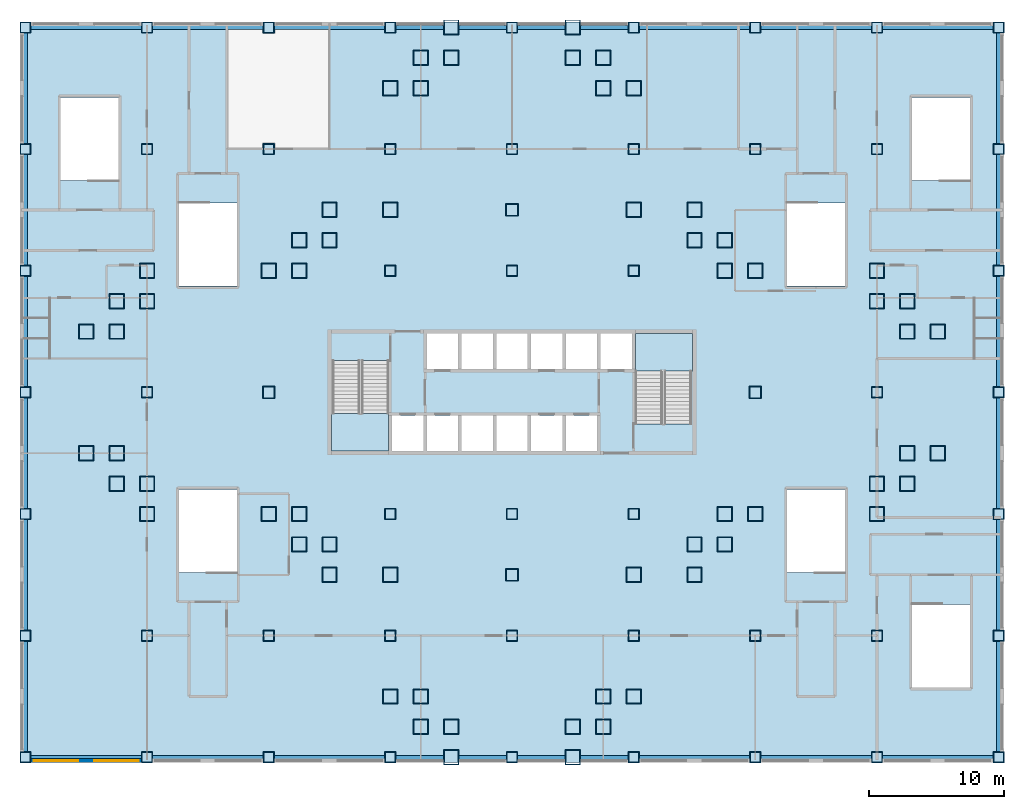
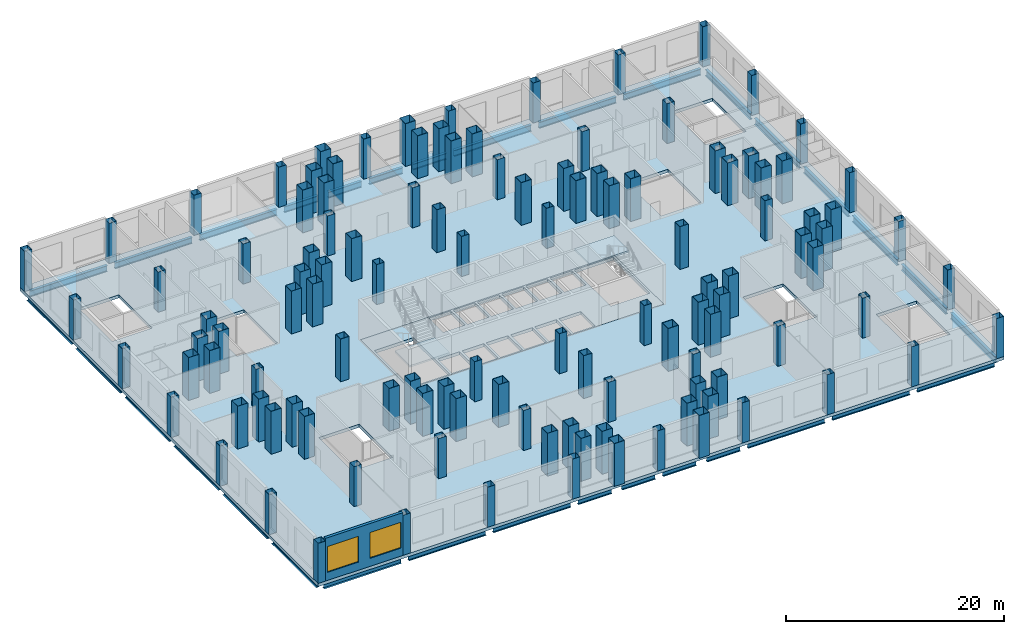
# One storey, part 1 of 13: 118 columns, 32 beams, 4 slabs, 2 windows, 1 wall, 2 openings, 2 elements without a shape of their own.
"""IFC4 building model written with IfcOpenShell, lengths in metres."""

from ifc_helpers import new_model, si_unit, direction, frame, frame_2d, origin, origin_2d, place, context, subcontext, project, spatial, polyline, rectangle, hollow_rectangle, i_section, outline, extrude, material, layer, layer_set, material_profile, profile_set, type_object, element, fill, aggregate, save


model = new_model("IFC4")

# Units and contexts
model_context = context("Model", 3, precision=1e-05, world=origin(), true_north=direction((0.0, 1.0)))
body_context = subcontext(model_context, "Body", "Model", "MODEL_VIEW")
ifc_project = project(units=[si_unit("LENGTHUNIT", "METRE"), si_unit("AREAUNIT", "SQUARE_METRE"), si_unit("VOLUMEUNIT", "CUBIC_METRE"), si_unit("PLANEANGLEUNIT", "RADIAN"), si_unit("MASSUNIT", "GRAM", prefix="KILO")], contexts=[model_context])

# Site, building, storey
site_placement = place(None, origin())
site = spatial("IfcSite", under=ifc_project, at=site_placement, CompositionType="ELEMENT")
building_placement = place(site_placement, origin())
building = spatial("IfcBuilding", under=site, at=building_placement, Name="Caravel Reach Hotel and Residences", CompositionType="ELEMENT")
storey_placement = place(building_placement, frame((0.0, 0.0, 28.800048828125)))
storey = spatial("IfcBuildingStorey", under=building, at=storey_placement, Name="L05", CompositionType="ELEMENT", Elevation=28.800048828125)

# Columns
ifc_material_1 = material(Name="Concrete-filled steel tube Q390B with Concrete C70 infill", Category="concrete")
ifc_material_profile_1 = material_profile(ifc_material_1, hollow_rectangle(XDim=1.10009765625, YDim=1.10009765625, WallThickness=0.035888671875, at=origin_2d()), Name="RHS 1100x1100x36")
ifc_profile_set_1 = profile_set([ifc_material_profile_1], Name="Concrete-filled steel tube Q390B with Concrete C70 infill")
column_type_1 = type_object("IfcColumnType", Name="CFT 1100x1100 Q390B C70", PredefinedType="COLUMN", material=ifc_profile_set_1)
for number, where, z_axis, x_axis, name in (
    (1, (22.5, 4.5, 0.0), (0.0, 0.0, 1.0), (1.0, 0.0, 0.0), "C1 column"),
    (2, (24.75, 4.5, 0.0), (0.0, 0.0, 1.0), (1.0, 0.0, 0.0), "C1 column"),
    (3, (24.75, 2.25, 0.0), (0.0, 0.0, 1.0), (1.0, 0.0, 0.0), "C1 column"),
    (4, (27.0, 2.25, 0.0), (0.0, 0.0, 1.0), (1.0, 0.0, 0.0), "C1 column"),
    (5, (27.0, 0.0, 0.0), (0.0, 0.0, 1.0), (1.0, 0.0, 0.0), "C1 column"),
    (6, (36.0, 0.0, 0.0), (0.0, 0.0, 1.0), (1.0, 0.0, 0.0), "C1 column"),
    (7, (36.0, 2.25, 0.0), (0.0, 0.0, 1.0), (1.0, 0.0, 0.0), "C1 column"),
    (8, (38.25, 2.25, 0.0), (0.0, 0.0, 1.0), (1.0, 0.0, 0.0), "C1 column"),
    (9, (38.25, 4.5, 0.0), (0.0, 0.0, 1.0), (1.0, 0.0, 0.0), "C1 column"),
    (10, (40.5, 4.5, 0.0), (0.0, 0.0, 1.0), (1.0, 0.0, 0.0), "C1 column"),
    (11, (40.5, 13.5, 0.0), (0.0, 0.0, 1.0), (1.0, 0.0, 0.0), "C1 column"),
    (12, (45.0, 13.5, 0.0), (0.0, 0.0, 1.0), (1.0, 0.0, 0.0), "C1 column"),
    (13, (45.0, 15.75, 0.0), (0.0, 0.0, 1.0), (1.0, 0.0, 0.0), "C1 column"),
    (14, (47.25, 15.75, 0.0), (0.0, 0.0, 1.0), (1.0, 0.0, 0.0), "C1 column"),
    (15, (47.25, 18.0, 0.0), (0.0, 0.0, 1.0), (1.0, 0.0, 0.0), "C1 column"),
    (16, (49.5, 18.0, 0.0), (0.0, 0.0, 1.0), (1.0, 0.0, 0.0), "C1 column"),
    (17, (58.5, 18.0, 0.0), (0.0, 0.0, 1.0), (1.0, 0.0, 0.0), "C1 column"),
    (18, (58.5, 20.25, 0.0), (0.0, 0.0, 1.0), (1.0, 0.0, 0.0), "C1 column"),
    (19, (60.75, 20.25, 0.0), (0.0, 0.0, 1.0), (1.0, 0.0, 0.0), "C1 column"),
    (20, (60.75, 22.5, 0.0), (0.0, 0.0, 1.0), (1.0, 0.0, 0.0), "C1 column"),
    (21, (63.0, 22.5, 0.0), (0.0, 0.0, 1.0), (1.0, 0.0, 0.0), "C1 column"),
    (22, (63.0, 31.5, 0.0), (0.0, 0.0, 1.0), (1.0, 0.0, 0.0), "C1 column"),
    (23, (60.75, 31.5, 0.0), (0.0, 0.0, 1.0), (1.0, 0.0, 0.0), "C1 column"),
    (24, (60.75, 33.75, 0.0), (0.0, 0.0, 1.0), (1.0, 0.0, 0.0), "C1 column"),
    (25, (58.5, 33.75, 0.0), (0.0, 0.0, 1.0), (1.0, 0.0, 0.0), "C1 column"),
    (26, (58.5, 36.0, 0.0), (0.0, 0.0, 1.0), (1.0, 0.0, 0.0), "C1 column"),
    (27, (49.5, 36.0, 0.0), (0.0, 0.0, 1.0), (1.0, 0.0, 0.0), "C1 column"),
    (28, (47.25, 36.0, 0.0), (0.0, 0.0, 1.0), (1.0, 0.0, 0.0), "C1 column"),
    (29, (47.25, 38.25, 0.0), (0.0, 0.0, 1.0), (1.0, 0.0, 0.0), "C1 column"),
    (30, (45.0, 38.25, 0.0), (0.0, 0.0, 1.0), (1.0, 0.0, 0.0), "C1 column"),
    (31, (45.0, 40.5, 0.0), (0.0, 0.0, 1.0), (1.0, 0.0, 0.0), "C1 column"),
    (32, (40.5, 40.5, 0.0), (0.0, 0.0, 1.0), (1.0, 0.0, 0.0), "C1 column"),
    (33, (40.5, 49.5, 0.0), (0.0, 0.0, 1.0), (1.0, 0.0, 0.0), "C1 column"),
    (34, (38.25, 49.5, 0.0), (0.0, 0.0, 1.0), (1.0, 0.0, 0.0), "C1 column"),
    (35, (38.25, 51.75, 0.0), (0.0, 0.0, 1.0), (1.0, 0.0, 0.0), "C1 column"),
    (36, (36.0, 51.75, 0.0), (0.0, 0.0, 1.0), (1.0, 0.0, 0.0), "C1 column"),
    (37, (36.0, 54.0, 0.0), (0.0, 0.0, 1.0), (1.0, 0.0, 0.0), "C1 column"),
    (38, (27.0, 54.0, 0.0), (0.0, 0.0, 1.0), (1.0, 0.0, 0.0), "C1 column"),
    (39, (27.0, 51.75, 0.0), (0.0, 0.0, 1.0), (1.0, 0.0, 0.0), "C1 column"),
    (40, (24.75, 51.75, 0.0), (0.0, 0.0, 1.0), (1.0, 0.0, 0.0), "C1 column"),
    (41, (24.75, 49.5, 0.0), (0.0, 0.0, 1.0), (1.0, 0.0, 0.0), "C1 column"),
    (42, (22.5, 49.5, 0.0), (0.0, 0.0, 1.0), (1.0, 0.0, 0.0), "C1 column"),
    (43, (22.5, 40.5, 0.0), (0.0, 0.0, 1.0), (1.0, 0.0, 0.0), "C1 column"),
    (44, (18.0, 40.5, 0.0), (0.0, 0.0, 1.0), (1.0, 0.0, 0.0), "C1 column"),
    (45, (18.0, 38.25, 0.0), (0.0, 0.0, 1.0), (1.0, 0.0, 0.0), "C1 column"),
    (46, (15.75, 38.25, 0.0), (0.0, 0.0, 1.0), (1.0, 0.0, 0.0), "C1 column"),
    (47, (15.75, 36.0, 0.0), (0.0, 0.0, 1.0), (1.0, 0.0, 0.0), "C1 column"),
    (48, (13.5, 36.0, 0.0), (0.0, 0.0, 1.0), (1.0, 0.0, 0.0), "C1 column"),
    (49, (4.5, 36.0, 0.0), (0.0, 0.0, 1.0), (1.0, 0.0, 0.0), "C1 column"),
    (50, (4.5, 33.75, 0.0), (0.0, 0.0, 1.0), (1.0, 0.0, 0.0), "C1 column"),
    (51, (2.25, 33.75, 0.0), (0.0, 0.0, 1.0), (1.0, 0.0, 0.0), "C1 column"),
    (52, (2.25, 31.5, 0.0), (0.0, 0.0, 1.0), (1.0, 0.0, 0.0), "C1 column"),
    (53, (0.0, 31.5, 0.0), (0.0, 0.0, 1.0), (1.0, 0.0, 0.0), "C1 column"),
    (54, (0.0, 22.5, 0.0), (0.0, 0.0, 1.0), (1.0, 0.0, 0.0), "C1 column"),
    (55, (2.25, 22.5, 0.0), (0.0, 0.0, 1.0), (1.0, 0.0, 0.0), "C1 column"),
    (56, (2.25, 20.25, 0.0), (0.0, 0.0, 1.0), (1.0, 0.0, 0.0), "C1 column"),
    (57, (4.5, 20.25, 0.0), (0.0, 0.0, 1.0), (1.0, 0.0, 0.0), "C1 column"),
    (58, (4.5, 18.0, 0.0), (0.0, 0.0, 1.0), (1.0, 0.0, 0.0), "C1 column"),
    (59, (13.5, 18.0, 0.0), (0.0, 0.0, 1.0), (1.0, 0.0, 0.0), "C1 column"),
    (60, (15.75, 18.0, 0.0), (0.0, 0.0, 1.0), (1.0, 0.0, 0.0), "C1 column"),
    (61, (15.75, 15.75, 0.0), (0.0, 0.0, 1.0), (1.0, 0.0, 0.0), "C1 column"),
    (62, (18.0, 15.75, 0.0), (0.0, 0.0, 1.0), (1.0, 0.0, 0.0), "C1 column"),
    (63, (18.0, 13.5, 0.0), (0.0, 0.0, 1.0), (1.0, 0.0, 0.0), "C1 column"),
    (64, (22.5, 13.5, 0.0), (0.0, 0.0, 1.0), (1.0, 0.0, 0.0), "C1 column"),
):
    element("IfcColumn", number, at=place(storey_placement, frame(where, z_axis=z_axis, x_axis=x_axis)), inside=storey, type_object=column_type_1, Name=name, PredefinedType="COLUMN", context=body_context, shape_type="SweptSolid", body=[
        extrude(hollow_rectangle(XDim=1.10009765625, YDim=1.10009765625, WallThickness=0.035888671875, at=origin_2d()), origin(), (0.0, 0.0, 1.0), 4.800048828125),
    ])
ifc_material_2 = material(Name="Concrete-filled steel tube Q390B with Concrete C70 infill", Category="concrete")
ifc_material_profile_2 = material_profile(ifc_material_2, hollow_rectangle(XDim=0.800048828125, YDim=0.800048828125, WallThickness=0.02490234375, at=origin_2d()), Name="RHS 800x800x25")
ifc_profile_set_2 = profile_set([ifc_material_profile_2], Name="Concrete-filled steel tube Q390B with Concrete C70 infill")
column_type_2 = type_object("IfcColumnType", Name="CFT 800x800 Q390B C70", PredefinedType="COLUMN", material=ifc_profile_set_2)
for number, where, z_axis, x_axis, name in (
    (65, (-4.5, 0.0, 0.0), (0.0, 0.0, 1.0), (1.0, 0.0, 0.0), "C4 column"),
    (66, (-4.5, 9.0, 0.0), (0.0, 0.0, 1.0), (1.0, 0.0, 0.0), "C4 column"),
    (67, (-4.5, 18.0, 0.0), (0.0, 0.0, 1.0), (1.0, 0.0, 0.0), "C4 column"),
    (68, (-4.5, 27.0, 0.0), (0.0, 0.0, 1.0), (1.0, 0.0, 0.0), "C4 column"),
    (69, (-4.5, 36.0, 0.0), (0.0, 0.0, 1.0), (1.0, 0.0, 0.0), "C4 column"),
    (70, (-4.5, 45.0, 0.0), (0.0, 0.0, 1.0), (1.0, 0.0, 0.0), "C4 column"),
    (71, (-4.5, 54.0, 0.0), (0.0, 0.0, 1.0), (1.0, 0.0, 0.0), "C4 column"),
    (72, (4.5, 0.0, 0.0), (0.0, 0.0, 1.0), (1.0, 0.0, 0.0), "C4 column"),
    (73, (4.5, 54.0, 0.0), (0.0, 0.0, 1.0), (1.0, 0.0, 0.0), "C4 column"),
    (74, (13.5, 0.0, 0.0), (0.0, 0.0, 1.0), (1.0, 0.0, 0.0), "C4 column"),
    (75, (13.5, 54.0, 0.0), (0.0, 0.0, 1.0), (1.0, 0.0, 0.0), "C4 column"),
    (76, (22.5, 0.0, 0.0), (0.0, 0.0, 1.0), (1.0, 0.0, 0.0), "C4 column"),
    (77, (22.5, 54.0, 0.0), (0.0, 0.0, 1.0), (1.0, 0.0, 0.0), "C4 column"),
    (78, (31.5, 0.0, 0.0), (0.0, 0.0, 1.0), (1.0, 0.0, 0.0), "C4 column"),
    (79, (31.5, 54.0, 0.0), (0.0, 0.0, 1.0), (1.0, 0.0, 0.0), "C4 column"),
    (80, (40.5, 0.0, 0.0), (0.0, 0.0, 1.0), (1.0, 0.0, 0.0), "C4 column"),
    (81, (40.5, 54.0, 0.0), (0.0, 0.0, 1.0), (1.0, 0.0, 0.0), "C4 column"),
    (82, (49.5, 0.0, 0.0), (0.0, 0.0, 1.0), (1.0, 0.0, 0.0), "C4 column"),
    (83, (49.5, 54.0, 0.0), (0.0, 0.0, 1.0), (1.0, 0.0, 0.0), "C4 column"),
    (84, (58.5, 0.0, 0.0), (0.0, 0.0, 1.0), (1.0, 0.0, 0.0), "C4 column"),
    (85, (58.5, 54.0, 0.0), (0.0, 0.0, 1.0), (1.0, 0.0, 0.0), "C4 column"),
    (86, (67.5, 0.0, 0.0), (0.0, 0.0, 1.0), (1.0, 0.0, 0.0), "C4 column"),
    (87, (67.5, 9.0, 0.0), (0.0, 0.0, 1.0), (1.0, 0.0, 0.0), "C4 column"),
    (88, (67.5, 18.0, 0.0), (0.0, 0.0, 1.0), (1.0, 0.0, 0.0), "C4 column"),
    (89, (67.5, 27.0, 0.0), (0.0, 0.0, 1.0), (1.0, 0.0, 0.0), "C4 column"),
    (90, (67.5, 36.0, 0.0), (0.0, 0.0, 1.0), (1.0, 0.0, 0.0), "C4 column"),
    (91, (67.5, 45.0, 0.0), (0.0, 0.0, 1.0), (1.0, 0.0, 0.0), "C4 column"),
    (92, (67.5, 54.0, 0.0), (0.0, 0.0, 1.0), (1.0, 0.0, 0.0), "C4 column"),
    (93, (4.5, 9.0, 0.0), (0.0, 0.0, 1.0), (1.0, 0.0, 0.0), "C4 column"),
    (94, (4.5, 27.0, 0.0), (0.0, 0.0, 1.0), (1.0, 0.0, 0.0), "C4 column"),
    (95, (4.5, 45.0, 0.0), (0.0, 0.0, 1.0), (1.0, 0.0, 0.0), "C4 column"),
    (96, (13.5, 9.0, 0.0), (0.0, 0.0, 1.0), (1.0, 0.0, 0.0), "C4 column"),
    (97, (13.5, 45.0, 0.0), (0.0, 0.0, 1.0), (1.0, 0.0, 0.0), "C4 column"),
    (98, (22.5, 9.0, 0.0), (0.0, 0.0, 1.0), (1.0, 0.0, 0.0), "C4 column"),
    (99, (22.5, 18.0, 0.0), (0.0, 0.0, 1.0), (1.0, 0.0, 0.0), "C4 column"),
    (100, (22.5, 36.0, 0.0), (0.0, 0.0, 1.0), (1.0, 0.0, 0.0), "C4 column"),
    (101, (22.5, 45.0, 0.0), (0.0, 0.0, 1.0), (1.0, 0.0, 0.0), "C4 column"),
    (102, (31.5, 9.0, 0.0), (0.0, 0.0, 1.0), (1.0, 0.0, 0.0), "C4 column"),
    (103, (31.5, 18.0, 0.0), (0.0, 0.0, 1.0), (1.0, 0.0, 0.0), "C4 column"),
    (104, (31.5, 36.0, 0.0), (0.0, 0.0, 1.0), (1.0, 0.0, 0.0), "C4 column"),
    (105, (31.5, 45.0, 0.0), (0.0, 0.0, 1.0), (1.0, 0.0, 0.0), "C4 column"),
    (106, (40.5, 9.0, 0.0), (0.0, 0.0, 1.0), (1.0, 0.0, 0.0), "C4 column"),
    (107, (40.5, 18.0, 0.0), (0.0, 0.0, 1.0), (1.0, 0.0, 0.0), "C4 column"),
    (108, (40.5, 36.0, 0.0), (0.0, 0.0, 1.0), (1.0, 0.0, 0.0), "C4 column"),
    (109, (40.5, 45.0, 0.0), (0.0, 0.0, 1.0), (1.0, 0.0, 0.0), "C4 column"),
    (110, (49.5, 9.0, 0.0), (0.0, 0.0, 1.0), (1.0, 0.0, 0.0), "C4 column"),
    (111, (49.5, 45.0, 0.0), (0.0, 0.0, 1.0), (1.0, 0.0, 0.0), "C4 column"),
    (112, (58.5, 9.0, 0.0), (0.0, 0.0, 1.0), (1.0, 0.0, 0.0), "C4 column"),
    (113, (58.5, 27.0, 0.0), (0.0, 0.0, 1.0), (1.0, 0.0, 0.0), "C4 column"),
    (114, (58.5, 45.0, 0.0), (0.0, 0.0, 1.0), (1.0, 0.0, 0.0), "C4 column"),
):
    element("IfcColumn", number, at=place(storey_placement, frame(where, z_axis=z_axis, x_axis=x_axis)), inside=storey, type_object=column_type_2, Name=name, PredefinedType="COLUMN", context=body_context, shape_type="SweptSolid", body=[
        extrude(hollow_rectangle(XDim=0.800048828125, YDim=0.800048828125, WallThickness=0.02490234375, at=origin_2d()), origin(), (0.0, 0.0, 1.0), 4.5),
    ])
ifc_material_3 = material(Name="Concrete-filled steel tube Q390B with Concrete C70 infill", Category="concrete")
ifc_material_profile_3 = material_profile(ifc_material_3, hollow_rectangle(XDim=0.89990234375, YDim=0.89990234375, WallThickness=0.028076171875, at=origin_2d()), Name="RHS 900x900x28")
ifc_profile_set_3 = profile_set([ifc_material_profile_3], Name="Concrete-filled steel tube Q390B with Concrete C70 infill")
column_type_3 = type_object("IfcColumnType", Name="CFT 900x900 Q390B C70", PredefinedType="COLUMN", material=ifc_profile_set_3)
for number, where, z_axis, x_axis, name in (
    (115, (31.5, 40.5, 0.0), (0.0, 0.0, 1.0), (1.0, 0.0, 0.0), "C3 column"),
    (116, (31.5, 13.5, 0.0), (0.0, 0.0, 1.0), (1.0, 0.0, 0.0), "C3 column"),
    (117, (13.5, 27.0, 0.0), (0.0, 0.0, 1.0), (1.0, 0.0, 0.0), "C3 column"),
    (118, (49.5, 27.0, 0.0), (0.0, 0.0, 1.0), (1.0, 0.0, 0.0), "C3 column"),
):
    element("IfcColumn", number, at=place(storey_placement, frame(where, z_axis=z_axis, x_axis=x_axis)), inside=storey, type_object=column_type_3, Name=name, PredefinedType="COLUMN", context=body_context, shape_type="SweptSolid", body=[
        extrude(hollow_rectangle(XDim=0.89990234375, YDim=0.89990234375, WallThickness=0.028076171875, at=origin_2d()), origin(), (0.0, 0.0, 1.0), 4.800048828125),
    ])

# Beams
ifc_material_4 = material(Name="Structural steel Q355B", Category="steel")
ifc_material_profile_4 = material_profile(ifc_material_4, i_section(OverallWidth=0.300048828125, OverallDepth=0.699951171875, WebThickness=0.012939453125, FlangeThickness=0.02392578125, FilletRadius=0.01806640625, at=origin_2d()), Name="HN 700x300x13x24")
ifc_profile_set_4 = profile_set([ifc_material_profile_4], Name="Structural steel Q355B")
beam_type = type_object("IfcBeamType", Name="Spandrel beam HN 700x300x13x24", PredefinedType="SPANDREL", material=ifc_profile_set_4)
for number, where, z_axis, x_axis, name in (
    (119, (-4.10009765625, 0.0, -0.699951171875), (1.0, 0.0, 0.0), (0.0, 1.0, 0.0), "SP2 HN 700x300x13x24"),
    (120, (4.89990234375, 0.0, -0.699951171875), (1.0, 0.0, 0.0), (0.0, 1.0, 0.0), "SP2 HN 700x300x13x24"),
    (121, (13.89990234375, 0.0, -0.699951171875), (1.0, 0.0, 0.0), (0.0, 1.0, 0.0), "SP2 HN 700x300x13x24"),
):
    element("IfcBeam", number, at=place(storey_placement, frame(where, z_axis=z_axis, x_axis=x_axis)), inside=storey, type_object=beam_type, Name=name, PredefinedType="SPANDREL", context=body_context, shape_type="SweptSolid", body=[
        extrude(i_section(OverallWidth=0.300048828125, OverallDepth=0.699951171875, WebThickness=0.012939453125, FlangeThickness=0.02392578125, FilletRadius=0.01806640625, at=origin_2d()), origin(), (0.0, 0.0, 1.0), 8.2001953125),
    ])
for number, where, z_axis, x_axis, name in (
    (122, (22.89990234375, 0.0, -0.699951171875), (1.0, 0.0, 0.0), (0.0, 1.0, 0.0), "SP2 HN 700x300x13x24"),
    (123, (27.550048828125, 0.0, -0.699951171875), (1.0, 0.0, 0.0), (0.0, 1.0, 0.0), "SP2 HN 700x300x13x24"),
    (124, (31.89990234375, 0.0, -0.699951171875), (1.0, 0.0, 0.0), (0.0, 1.0, 0.0), "SP2 HN 700x300x13x24"),
    (125, (36.550048828125, 0.0, -0.699951171875), (1.0, 0.0, 0.0), (0.0, 1.0, 0.0), "SP2 HN 700x300x13x24"),
):
    element("IfcBeam", number, at=place(storey_placement, frame(where, z_axis=z_axis, x_axis=x_axis)), inside=storey, type_object=beam_type, Name=name, PredefinedType="SPANDREL", context=body_context, shape_type="SweptSolid", body=[
        extrude(i_section(OverallWidth=0.300048828125, OverallDepth=0.699951171875, WebThickness=0.012939453125, FlangeThickness=0.02392578125, FilletRadius=0.01806640625, at=origin_2d()), origin(), (0.0, 0.0, 1.0), 3.550048828125),
    ])
for number, where, z_axis, x_axis, name in (
    (126, (40.89990234375, 0.0, -0.699951171875), (1.0, 0.0, 0.0), (0.0, 1.0, 0.0), "SP2 HN 700x300x13x24"),
    (127, (49.89990234375, 0.0, -0.699951171875), (1.0, 0.0, 0.0), (0.0, 1.0, 0.0), "SP2 HN 700x300x13x24"),
    (128, (58.89990234375, 0.0, -0.699951171875), (1.0, 0.0, 0.0), (0.0, 1.0, 0.0), "SP2 HN 700x300x13x24"),
    (129, (67.5, 0.39990234375, -0.699951171875), (0.0, 1.0, 0.0), (-1.0, 0.0, 0.0), "SP2 HN 700x300x13x24"),
    (130, (67.5, 9.39990234375, -0.699951171875), (0.0, 1.0, 0.0), (-1.0, 0.0, 0.0), "SP2 HN 700x300x13x24"),
    (131, (67.5, 18.39990234375, -0.699951171875), (0.0, 1.0, 0.0), (-1.0, 0.0, 0.0), "SP2 HN 700x300x13x24"),
    (132, (67.5, 27.39990234375, -0.699951171875), (0.0, 1.0, 0.0), (-1.0, 0.0, 0.0), "SP2 HN 700x300x13x24"),
    (133, (67.5, 36.39990234375, -0.699951171875), (0.0, 1.0, 0.0), (-1.0, 0.0, 0.0), "SP2 HN 700x300x13x24"),
    (134, (67.5, 45.39990234375, -0.699951171875), (0.0, 1.0, 0.0), (-1.0, 0.0, 0.0), "SP2 HN 700x300x13x24"),
    (135, (67.10009765625, 54.0, -0.699951171875), (-1.0, 0.0, 0.0), (0.0, -1.0, 0.0), "SP2 HN 700x300x13x24"),
    (136, (58.10009765625, 54.0, -0.699951171875), (-1.0, 0.0, 0.0), (0.0, -1.0, 0.0), "SP2 HN 700x300x13x24"),
    (137, (49.10009765625, 54.0, -0.699951171875), (-1.0, 0.0, 0.0), (0.0, -1.0, 0.0), "SP2 HN 700x300x13x24"),
):
    element("IfcBeam", number, at=place(storey_placement, frame(where, z_axis=z_axis, x_axis=x_axis)), inside=storey, type_object=beam_type, Name=name, PredefinedType="SPANDREL", context=body_context, shape_type="SweptSolid", body=[
        extrude(i_section(OverallWidth=0.300048828125, OverallDepth=0.699951171875, WebThickness=0.012939453125, FlangeThickness=0.02392578125, FilletRadius=0.01806640625, at=origin_2d()), origin(), (0.0, 0.0, 1.0), 8.2001953125),
    ])
for number, where, z_axis, x_axis, name in (
    (138, (40.10009765625, 54.0, -0.699951171875), (-1.0, 0.0, 0.0), (0.0, -1.0, 0.0), "SP2 HN 700x300x13x24"),
    (139, (35.449951171875, 54.0, -0.699951171875), (-1.0, 0.0, 0.0), (0.0, -1.0, 0.0), "SP2 HN 700x300x13x24"),
    (140, (31.10009765625, 54.0, -0.699951171875), (-1.0, 0.0, 0.0), (0.0, -1.0, 0.0), "SP2 HN 700x300x13x24"),
    (141, (26.449951171875, 54.0, -0.699951171875), (-1.0, 0.0, 0.0), (0.0, -1.0, 0.0), "SP2 HN 700x300x13x24"),
):
    element("IfcBeam", number, at=place(storey_placement, frame(where, z_axis=z_axis, x_axis=x_axis)), inside=storey, type_object=beam_type, Name=name, PredefinedType="SPANDREL", context=body_context, shape_type="SweptSolid", body=[
        extrude(i_section(OverallWidth=0.300048828125, OverallDepth=0.699951171875, WebThickness=0.012939453125, FlangeThickness=0.02392578125, FilletRadius=0.01806640625, at=origin_2d()), origin(), (0.0, 0.0, 1.0), 3.550048828125),
    ])
for number, where, z_axis, x_axis, name in (
    (142, (22.10009765625, 54.0, -0.699951171875), (-1.0, 0.0, 0.0), (0.0, -1.0, 0.0), "SP2 HN 700x300x13x24"),
    (143, (13.10009765625, 54.0, -0.699951171875), (-1.0, 0.0, 0.0), (0.0, -1.0, 0.0), "SP2 HN 700x300x13x24"),
    (144, (4.10009765625, 54.0, -0.699951171875), (-1.0, 0.0, 0.0), (0.0, -1.0, 0.0), "SP2 HN 700x300x13x24"),
    (145, (-4.5, 53.60009765625, -0.699951171875), (0.0, -1.0, 0.0), (1.0, 0.0, 0.0), "SP2 HN 700x300x13x24"),
    (146, (-4.5, 44.60009765625, -0.699951171875), (0.0, -1.0, 0.0), (1.0, 0.0, 0.0), "SP2 HN 700x300x13x24"),
    (147, (-4.5, 35.60009765625, -0.699951171875), (0.0, -1.0, 0.0), (1.0, 0.0, 0.0), "SP2 HN 700x300x13x24"),
    (148, (-4.5, 26.60009765625, -0.699951171875), (0.0, -1.0, 0.0), (1.0, 0.0, 0.0), "SP2 HN 700x300x13x24"),
    (149, (-4.5, 17.60009765625, -0.699951171875), (0.0, -1.0, 0.0), (1.0, 0.0, 0.0), "SP2 HN 700x300x13x24"),
    (150, (-4.5, 8.60009765625, -0.699951171875), (0.0, -1.0, 0.0), (1.0, 0.0, 0.0), "SP2 HN 700x300x13x24"),
):
    element("IfcBeam", number, at=place(storey_placement, frame(where, z_axis=z_axis, x_axis=x_axis)), inside=storey, type_object=beam_type, Name=name, PredefinedType="SPANDREL", context=body_context, shape_type="SweptSolid", body=[
        extrude(i_section(OverallWidth=0.300048828125, OverallDepth=0.699951171875, WebThickness=0.012939453125, FlangeThickness=0.02392578125, FilletRadius=0.01806640625, at=origin_2d()), origin(), (0.0, 0.0, 1.0), 8.2001953125),
    ])

# Slab
ifc_material_5 = material(Name="Concrete C40", Category="concrete")
ifc_layer_1 = layer(ifc_material_5, 0.35009765625)
ifc_layer_set_1 = layer_set([ifc_layer_1], Name="Core floor slab 350 mm")
slab_type_1 = type_object("IfcSlabType", Name="Core floor slab 350 mm", PredefinedType="FLOOR", material=ifc_layer_set_1)
slab_1_placement = place(storey_placement, frame((0.0, 0.0, -0.35009765625)))
element("IfcSlab", 151, at=slab_1_placement, inside=storey, type_object=slab_type_1, Name="L05 core floor", PredefinedType="FLOOR", context=body_context, shape_type="SweptSolid", body=[
    extrude(outline(polyline([(18.0, 31.5), (45.0, 31.5), (45.0, 22.5), (18.0, 22.5), (18.0, 31.5)]), holes=[polyline([(22.625, 25.27490234375), (22.625, 22.64990234375), (24.9462890625, 22.64990234375), (24.9462890625, 25.27490234375), (22.625, 25.27490234375)]), polyline([(27.517822265625, 25.27490234375), (25.1962890625, 25.27490234375), (25.1962890625, 22.64990234375), (27.517822265625, 22.64990234375), (27.517822265625, 25.27490234375)]), polyline([(30.08935546875, 25.27490234375), (27.767822265625, 25.27490234375), (27.767822265625, 22.64990234375), (30.08935546875, 22.64990234375), (30.08935546875, 25.27490234375)]), polyline([(32.66064453125, 25.27490234375), (30.33935546875, 25.27490234375), (30.33935546875, 22.64990234375), (32.66064453125, 22.64990234375), (32.66064453125, 25.27490234375)]), polyline([(18.22509765625, 22.64990234375), (22.375, 22.64990234375), (22.375, 29.35009765625), (18.22509765625, 29.35009765625), (18.22509765625, 22.64990234375)]), polyline([(27.517822265625, 31.35009765625), (25.1962890625, 31.35009765625), (25.1962890625, 28.72509765625), (27.517822265625, 28.72509765625), (27.517822265625, 31.35009765625)]), polyline([(30.08935546875, 31.35009765625), (27.767822265625, 31.35009765625), (27.767822265625, 28.72509765625), (30.08935546875, 28.72509765625), (30.08935546875, 31.35009765625)]), polyline([(32.91064453125, 25.27490234375), (32.91064453125, 22.64990234375), (35.232177734375, 22.64990234375), (35.232177734375, 25.27490234375), (32.91064453125, 25.27490234375)]), polyline([(37.8037109375, 25.27490234375), (35.482177734375, 25.27490234375), (35.482177734375, 22.64990234375), (37.8037109375, 22.64990234375), (37.8037109375, 25.27490234375)]), polyline([(44.77490234375, 31.35009765625), (40.625, 31.35009765625), (40.625, 24.64990234375), (44.77490234375, 24.64990234375), (44.77490234375, 31.35009765625)]), polyline([(32.66064453125, 31.35009765625), (30.33935546875, 31.35009765625), (30.33935546875, 28.72509765625), (32.66064453125, 28.72509765625), (32.66064453125, 31.35009765625)]), polyline([(35.232177734375, 31.35009765625), (32.91064453125, 31.35009765625), (32.91064453125, 28.72509765625), (35.232177734375, 28.72509765625), (35.232177734375, 31.35009765625)]), polyline([(37.8037109375, 31.35009765625), (35.482177734375, 31.35009765625), (35.482177734375, 28.72509765625), (37.8037109375, 28.72509765625), (37.8037109375, 31.35009765625)]), polyline([(40.375, 31.35009765625), (38.0537109375, 31.35009765625), (38.0537109375, 28.72509765625), (40.375, 28.72509765625), (40.375, 31.35009765625)])]), origin(), (0.0, 0.0, 1.0), 0.35009765625),
])

# Stair, slab
ifc_material_6 = material(Name="Concrete C40", Category="concrete")
stair_type = type_object("IfcStairType", Name="Core stair", PredefinedType="HALF_TURN_STAIR", material=ifc_material_6)
stair_1_placement = place(storey_placement, origin())
stair_1 = element("IfcStair", 152, at=stair_1_placement, inside=storey, type_object=stair_type, Name="L05 Exit stair A", PredefinedType="HALF_TURN_STAIR")
ifc_material_7 = material(Name="Concrete C40", Category="concrete")
ifc_layer_2 = layer(ifc_material_7, 0.199951171875)
ifc_layer_set_2 = layer_set([ifc_layer_2], Name="Core stair landing")
slab_type_2 = type_object("IfcSlabType", Name="Core stair landing", PredefinedType="LANDING", material=ifc_layer_set_2)
slab_2_placement = place(storey_placement, frame((0.0, 0.0, 2.199951171875)))
slab_2 = element("IfcSlab", 153, at=slab_2_placement, type_object=slab_type_2, Name="ST-A landing 1", PredefinedType="LANDING", context=body_context, shape_type="SweptSolid", body=[
    extrude(outline(polyline([(18.14990234375, 25.429931640625), (18.14990234375, 22.64990234375), (22.375, 22.64990234375), (22.375, 25.429931640625), (18.14990234375, 25.429931640625)])), origin(), (0.0, 0.0, 1.0), 0.199951171875),
])
aggregate(stair_1, [slab_2])

stair_2_placement = place(storey_placement, origin())
stair_2 = element("IfcStair", 154, at=stair_2_placement, inside=storey, type_object=stair_type, Name="L05 Exit stair B", PredefinedType="HALF_TURN_STAIR")
slab_3_placement = place(storey_placement, frame((0.0, 0.0, 2.199951171875)))
slab_3 = element("IfcSlab", 155, at=slab_3_placement, type_object=slab_type_2, Name="ST-B landing 1", PredefinedType="LANDING", context=body_context, shape_type="SweptSolid", body=[
    extrude(outline(polyline([(44.85009765625, 28.570068359375), (44.85009765625, 31.35009765625), (40.625, 31.35009765625), (40.625, 28.570068359375), (44.85009765625, 28.570068359375)])), origin(), (0.0, 0.0, 1.0), 0.199951171875),
])
aggregate(stair_2, [slab_3])

# Slab
ifc_material_8 = material(Name="Concrete C40 post-tensioned", Category="concrete")
ifc_layer_3 = layer(ifc_material_8, 0.35009765625)
ifc_layer_set_3 = layer_set([ifc_layer_3], Name="Floor slab 350")
slab_type_3 = type_object("IfcSlabType", Name="Floor slab 350", PredefinedType="FLOOR", material=ifc_layer_set_3)
slab_4_placement = place(storey_placement, frame((0.0, 0.0, -0.35009765625)))
element("IfcSlab", 156, at=slab_4_placement, inside=storey, type_object=slab_type_3, Name="S3 slab L05", PredefinedType="FLOOR", context=body_context, shape_type="SweptSolid", body=[
    extrude(outline(polyline([(-4.89990234375, -0.39990234375), (-4.89990234375, 54.39990234375), (67.89990234375, 54.39990234375), (67.89990234375, -0.39990234375), (-4.89990234375, -0.39990234375)]), holes=[polyline([(45.0, 22.5), (45.0, 31.5), (18.0, 31.5), (18.0, 22.5), (45.0, 22.5)]), polyline([(11.14501953125, 41.010009765625), (6.85498046875, 41.010009765625), (6.85498046875, 34.8701171875), (11.14501953125, 34.8701171875), (11.14501953125, 41.010009765625)]), polyline([(56.14501953125, 34.8701171875), (56.14501953125, 41.010009765625), (51.85498046875, 41.010009765625), (51.85498046875, 34.8701171875), (56.14501953125, 34.8701171875)]), polyline([(11.14501953125, 19.830078125), (6.85498046875, 19.830078125), (6.85498046875, 13.68994140625), (11.14501953125, 13.68994140625), (11.14501953125, 19.830078125)]), polyline([(56.14501953125, 13.68994140625), (56.14501953125, 19.830078125), (51.85498046875, 19.830078125), (51.85498046875, 13.68994140625), (56.14501953125, 13.68994140625)]), polyline([(-1.89501953125, 42.68994140625), (2.39501953125, 42.68994140625), (2.39501953125, 48.830078125), (-1.89501953125, 48.830078125), (-1.89501953125, 42.68994140625)]), polyline([(61.10498046875, 48.830078125), (61.10498046875, 42.68994140625), (65.39501953125, 42.68994140625), (65.39501953125, 48.830078125), (61.10498046875, 48.830078125)]), polyline([(61.10498046875, 5.169921875), (65.39501953125, 5.169921875), (65.39501953125, 11.31005859375), (61.10498046875, 11.31005859375), (61.10498046875, 5.169921875)])]), origin(), (0.0, 0.0, 1.0), 0.35009765625),
])

# Wall, openings, windows
ifc_material_9 = material(Name="Insulated wall, stone cladding", Category="masonry")
ifc_layer_4 = layer(ifc_material_9, 0.300048828125)
ifc_layer_set_4 = layer_set([ifc_layer_4], Name="EW2 Podium stone-clad wall")
wall_type = type_object("IfcWallType", Name="EW2 Podium stone-clad wall", PredefinedType="SOLIDWALL", material=ifc_layer_set_4)
wall_placement = place(storey_placement, frame((-4.10009765625, -0.25, 0.0), z_axis=(0.0, 0.0, 1.0), x_axis=(1.0, 0.0, 0.0)))
wall = element("IfcWall", 157, at=wall_placement, inside=storey, type_object=wall_type, Name="External wall L05 S4.1", PredefinedType="SOLIDWALL", context=body_context, shape_type="SweptSolid", body=[
    extrude(rectangle(XDim=8.2001953125, YDim=0.300048828125, at=frame_2d((4.10009765625, 0.0))), origin(), (0.0, 0.0, 1.0), 4.800048828125),
])
opening_1_placement = place(wall_placement, frame((0.199951171875, 0.0, 0.89990234375)))
opening_1 = element("IfcOpeningElement", 158, at=opening_1_placement, cuts=wall, Name="Opening WN32", PredefinedType="OPENING", context=body_context, shape_type="SweptSolid", body=[
    extrude(rectangle(XDim=3.300048828125, YDim=2.89990234375, at=frame_2d((1.64990234375, 1.449951171875))), frame((0.0, 0.159912109375, 0.0), z_axis=(0.0, -1.0, 0.0), x_axis=(1.0, 0.0, 0.0)), (0.0, 0.0, 1.0), 0.320068359375),
])
opening_2_placement = place(wall_placement, frame((4.699951171875, 0.0, 0.89990234375)))
opening_2 = element("IfcOpeningElement", 159, at=opening_2_placement, cuts=wall, Name="Opening WN32", PredefinedType="OPENING", context=body_context, shape_type="SweptSolid", body=[
    extrude(rectangle(XDim=3.300048828125, YDim=2.89990234375, at=frame_2d((1.64990234375, 1.449951171875))), frame((0.0, 0.159912109375, 0.0), z_axis=(0.0, -1.0, 0.0), x_axis=(1.0, 0.0, 0.0)), (0.0, 0.0, 1.0), 0.320068359375),
])
ifc_material_10 = material(Name="Dark low-e glazing in black aluminium frame", Category="aluminium")
window_type = type_object("IfcWindowType", Name="Podium window 3300 x 2900", PartitioningType="SINGLE_PANEL", PredefinedType="WINDOW", material=ifc_material_10)
window_1_placement = place(opening_1_placement, origin())
window_1 = element("IfcWindow", 160, at=window_1_placement, inside=storey, type_object=window_type, Name="Window L05 S4.1.1", OverallHeight=2.89990234375, OverallWidth=3.300048828125, PartitioningType="SINGLE_PANEL", PredefinedType="WINDOW", context=body_context, shape_type="SweptSolid", body=[
    extrude(rectangle(XDim=3.300048828125, YDim=2.89990234375, at=frame_2d((1.64990234375, 1.449951171875))), frame((0.0, 0.030029296875, 0.0), z_axis=(0.0, -1.0, 0.0), x_axis=(1.0, 0.0, 0.0)), (0.0, 0.0, 1.0), 0.06005859375),
])
fill(opening_1, window_1)
window_2_placement = place(opening_2_placement, origin())
window_2 = element("IfcWindow", 161, at=window_2_placement, inside=storey, type_object=window_type, Name="Window L05 S4.1.2", OverallHeight=2.89990234375, OverallWidth=3.300048828125, PartitioningType="SINGLE_PANEL", PredefinedType="WINDOW", context=body_context, shape_type="SweptSolid", body=[
    extrude(rectangle(XDim=3.300048828125, YDim=2.89990234375, at=frame_2d((1.64990234375, 1.449951171875))), frame((0.0, 0.030029296875, 0.0), z_axis=(0.0, -1.0, 0.0), x_axis=(1.0, 0.0, 0.0)), (0.0, 0.0, 1.0), 0.06005859375),
])
fill(opening_2, window_2)

save(model, "model.ifc")
